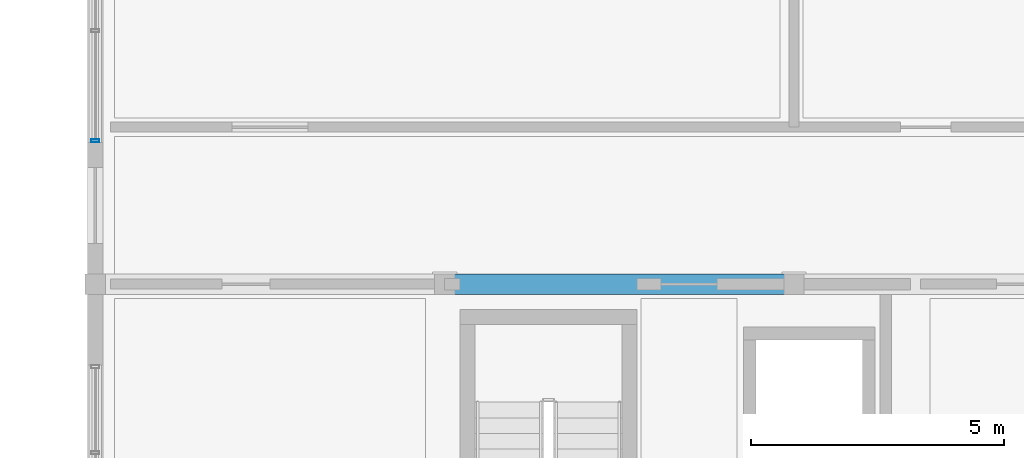
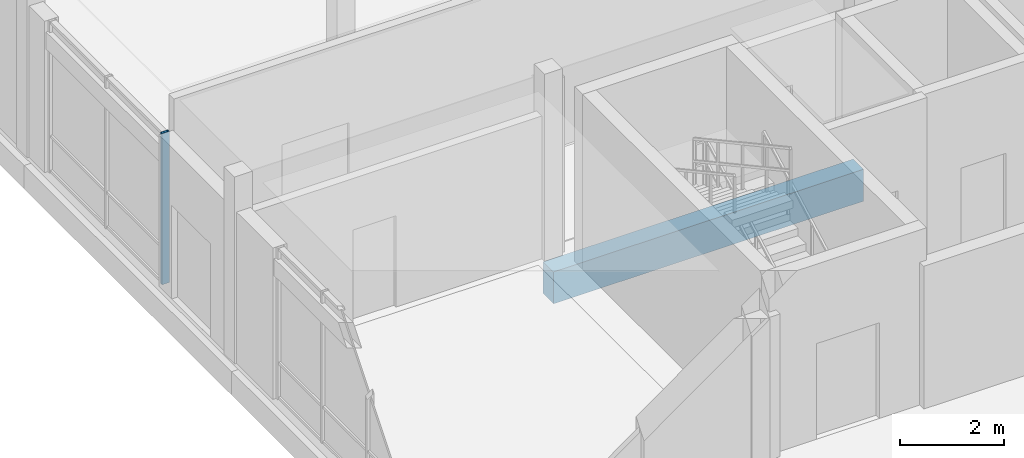
# One storey, part 47 of 233: 1 beam, 1 member, 1 element without a shape of its own.
"""IFC4 building model written with IfcOpenShell, lengths in metres."""

from ifc_helpers import new_model, si_unit, direction, frame, origin, origin_2d, place, context, subcontext, project, spatial, rectangle, hollow_rectangle, extrude, material, material_profile, profile_set, type_object, element, aggregate, save


model = new_model("IFC4")

# Units and contexts
model_context = context("Model", 3, precision=1e-05, world=origin(), true_north=direction((0.0, 1.0)))
body_context = subcontext(model_context, "Body", "Model", "MODEL_VIEW")
ifc_project = project(units=[si_unit("LENGTHUNIT", "METRE"), si_unit("AREAUNIT", "SQUARE_METRE"), si_unit("VOLUMEUNIT", "CUBIC_METRE"), si_unit("PLANEANGLEUNIT", "RADIAN"), si_unit("MASSUNIT", "GRAM", prefix="KILO")], contexts=[model_context])

# Site, building, storey
site_placement = place(None, origin())
site = spatial("IfcSite", under=ifc_project, at=site_placement, CompositionType="ELEMENT")
building_placement = place(site_placement, origin())
building = spatial("IfcBuilding", under=site, at=building_placement, Name="Zavelmont Quarter", CompositionType="ELEMENT")
storey_placement = place(building_placement, origin())
storey = spatial("IfcBuildingStorey", under=building, at=storey_placement, Name="L00", CompositionType="ELEMENT", Elevation=0.0)

# Beam
ifc_material_1 = material(Name="Concrete C40/50", Category="concrete")
ifc_material_profile_1 = material_profile(ifc_material_1, rectangle(XDim=0.39990234375, YDim=0.75, at=origin_2d()), Name="RC400X750")
ifc_profile_set_1 = profile_set([ifc_material_profile_1], Name="Concrete C40/50")
beam_type = type_object("IfcBeamType", Name="BM05", PredefinedType="BEAM", material=ifc_profile_set_1)
beam_placement = place(storey_placement, frame((6.89990234375, 38.0, -0.695068359375), z_axis=(1.0, 0.0, 0.0), x_axis=(0.0, 1.0, 0.0)))
element("IfcBeam", 1, at=beam_placement, inside=storey, type_object=beam_type, Name="L00 beam BM05 2/G to 3/G", PredefinedType="BEAM", context=body_context, shape_type="SweptSolid", body=[
    extrude(rectangle(XDim=0.39990234375, YDim=0.75, at=origin_2d()), origin(), (0.0, 0.0, 1.0), 6.900146484375),
])

# Curtain wall, member
ifc_material_2 = material(Name="Thermally broken aluminium and double low-E safety glazing", Category="aluminium")
curtain_wall_type = type_object("IfcCurtainWallType", Name="CW-440X356", PredefinedType="NOTDEFINED", material=ifc_material_2)
curtain_wall_placement = place(storey_placement, origin())
curtain_wall = element("IfcCurtainWall", 2, at=curtain_wall_placement, inside=storey, type_object=curtain_wall_type, Name="L00 unitised curtain wall CW-440X356", PredefinedType="NOTDEFINED")
ifc_material_3 = material(Name="Powder-coated aluminium EN AW-6063-T6", Category="aluminium")
ifc_material_profile_2 = material_profile(ifc_material_3, hollow_rectangle(XDim=0.06005859375, YDim=0.159912109375, WallThickness=0.00390625, at=origin_2d()), Name="CWM60X160")
ifc_profile_set_2 = profile_set([ifc_material_profile_2], Name="Powder-coated aluminium EN AW-6063-T6")
member_type = type_object("IfcMemberType", Name="CWM01", PredefinedType="MULLION", material=ifc_profile_set_2)
member_placement = place(storey_placement, frame((0.0, 40.830078125, 0.0), z_axis=(0.0, 0.0, 1.0), x_axis=(0.0, 1.0, 0.0)))
member = element("IfcMember", 3, at=member_placement, type_object=member_type, Name="CW-440X356 mullion 1", PredefinedType="MULLION", context=body_context, shape_type="SweptSolid", body=[
    extrude(hollow_rectangle(XDim=0.06005859375, YDim=0.159912109375, WallThickness=0.00390625, at=origin_2d()), origin(), (0.0, 0.0, 1.0), 3.56005859375),
])
aggregate(curtain_wall, [member])

save(model, "model.ifc")
